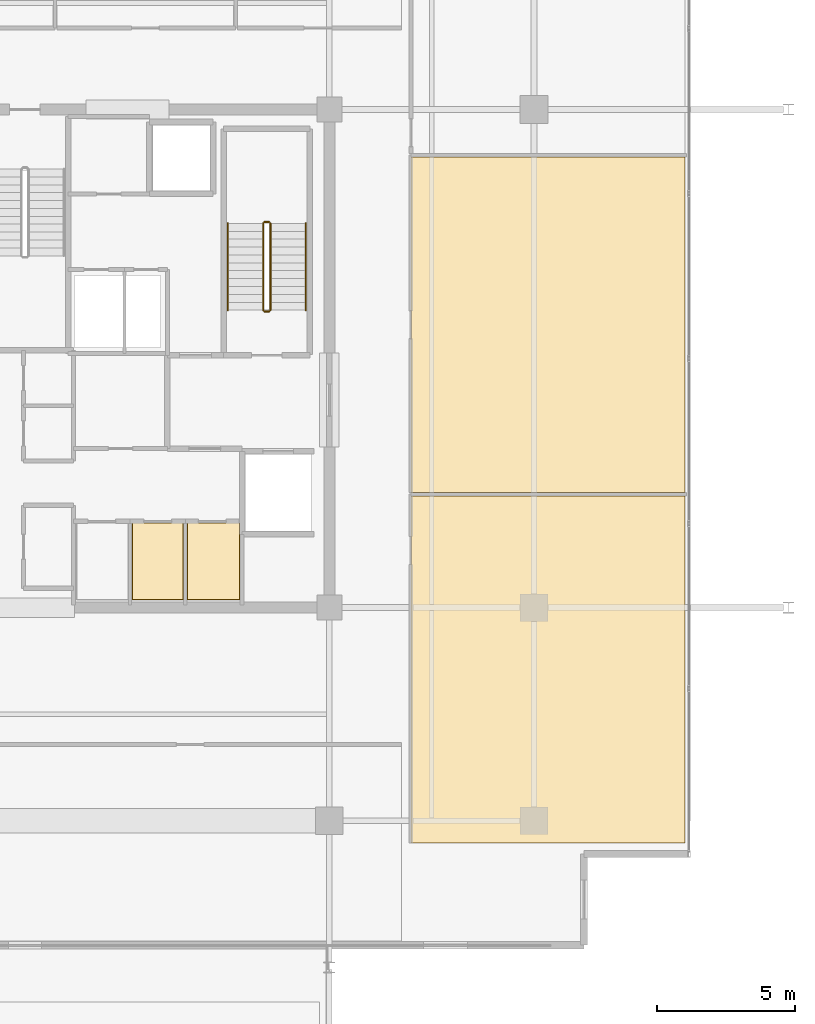
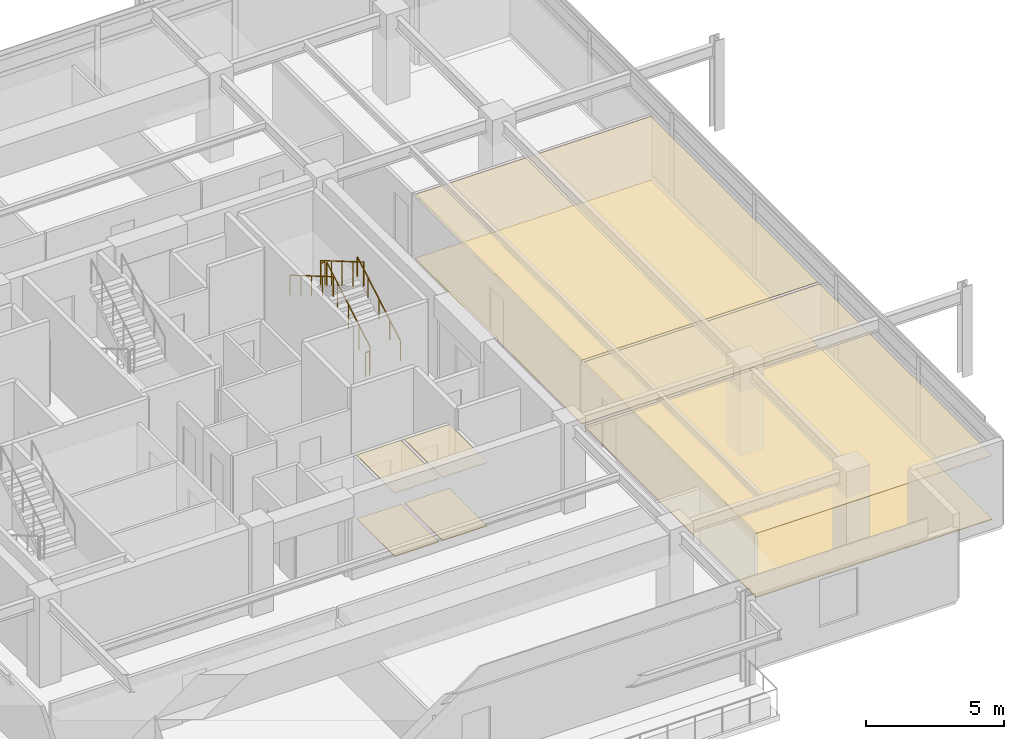
# One storey, part 19 of 20: 8 coverings, 6 railings.
"""IFC4 building model written with IfcOpenShell, lengths in metres."""

from ifc_helpers import new_model, si_unit, direction, frame, origin, origin_2d, place, context, subcontext, project, spatial, polyline, circle, outline, extrude, material, layer, layer_set, type_object, element, save


model = new_model("IFC4")

# Units and contexts
model_context = context("Model", 3, precision=1e-05, world=origin(), true_north=direction((0.0, 1.0)))
body_context = subcontext(model_context, "Body", "Model", "MODEL_VIEW")
ifc_project = project(units=[si_unit("LENGTHUNIT", "METRE"), si_unit("AREAUNIT", "SQUARE_METRE"), si_unit("VOLUMEUNIT", "CUBIC_METRE"), si_unit("PLANEANGLEUNIT", "RADIAN"), si_unit("MASSUNIT", "GRAM", prefix="KILO")], contexts=[model_context])

# Site, building, storey
site_placement = place(None, origin())
site = spatial("IfcSite", under=ifc_project, at=site_placement, CompositionType="ELEMENT")
building_placement = place(site_placement, origin())
building = spatial("IfcBuilding", under=site, at=building_placement, Name="Kovane Verandah Tower", CompositionType="ELEMENT")
storey_placement = place(building_placement, frame((0.0, 0.0, 306.800048828125)))
storey = spatial("IfcBuildingStorey", under=building, at=storey_placement, Name="L71", CompositionType="ELEMENT", Elevation=306.800048828125)

# Coverings
ifc_material_1 = material(Name="Perforated Acoustic Mineral-Fibre Ceiling Tile", Category="gypsum")
ifc_layer_1 = layer(ifc_material_1, 0.02490234375)
ifc_layer_set_1 = layer_set([ifc_layer_1], Name="Perforated Acoustic Mineral-Fibre Ceiling Tile")
covering_type_1 = type_object("IfcCoveringType", Name="CV-CEIL-25", PredefinedType="CEILING", material=ifc_layer_set_1)
covering_1_placement = place(storey_placement, frame((0.0, 0.0, 2.824951171875)))
element("IfcCovering", 1, at=covering_1_placement, inside=storey, type_object=covering_type_1, Name="L71 First Aid Room Acoustic Ceiling", PredefinedType="CEILING", context=body_context, shape_type="SweptSolid", body=[
    extrude(outline(polyline([(43.864990234375, 18.784912109375), (45.735107421875, 18.784912109375), (45.735107421875, 21.56494140625), (43.864990234375, 21.56494140625), (43.864990234375, 18.784912109375)])), origin(), (0.0, 0.0, 1.0), 0.02490234375),
])
covering_2_placement = place(storey_placement, frame((0.0, 0.0, 2.824951171875)))
element("IfcCovering", 2, at=covering_2_placement, inside=storey, type_object=covering_type_1, Name="L71 Quiet Wellness Room Acoustic Ceiling", PredefinedType="CEILING", context=body_context, shape_type="SweptSolid", body=[
    extrude(outline(polyline([(45.864990234375, 18.784912109375), (47.764892578125, 18.784912109375), (47.764892578125, 21.56494140625), (45.864990234375, 21.56494140625), (45.864990234375, 18.784912109375)])), origin(), (0.0, 0.0, 1.0), 0.02490234375),
])
covering_3_placement = place(storey_placement, frame((0.0, 0.0, 2.824951171875)))
element("IfcCovering", 3, at=covering_3_placement, inside=storey, type_object=covering_type_1, Name="L71 Meeting Room E1 Acoustic Ceiling", PredefinedType="CEILING", context=body_context, shape_type="SweptSolid", body=[
    extrude(outline(polyline([(53.949951171875, 10.0), (63.85009765625, 10.0), (63.85009765625, 22.530029296875), (53.949951171875, 22.530029296875), (53.949951171875, 10.0)])), origin(), (0.0, 0.0, 1.0), 0.02490234375),
])
covering_4_placement = place(storey_placement, frame((0.0, 0.0, 2.824951171875)))
element("IfcCovering", 4, at=covering_4_placement, inside=storey, type_object=covering_type_1, Name="L71 Focus Studio E2 Acoustic Ceiling", PredefinedType="CEILING", context=body_context, shape_type="SweptSolid", body=[
    extrude(outline(polyline([(53.949951171875, 22.669921875), (63.85009765625, 22.669921875), (63.85009765625, 34.780029296875), (53.949951171875, 34.780029296875), (53.949951171875, 22.669921875)])), origin(), (0.0, 0.0, 1.0), 0.02490234375),
])
ifc_material_2 = material(Name="Polished Terrazzo and Raised-Access Carpet Tile Finish", Category="concrete")
ifc_layer_2 = layer(ifc_material_2, 0.030029296875)
ifc_layer_set_2 = layer_set([ifc_layer_2], Name="Polished Terrazzo and Raised-Access Carpet Tile Finish")
covering_type_2 = type_object("IfcCoveringType", Name="CV-FLOR-30", PredefinedType="FLOORING", material=ifc_layer_set_2)
covering_5_placement = place(storey_placement, origin())
element("IfcCovering", 5, at=covering_5_placement, inside=storey, type_object=covering_type_2, Name="L71 First Aid Room Floor Finish", PredefinedType="FLOORING", context=body_context, shape_type="SweptSolid", body=[
    extrude(outline(polyline([(43.8798828125, 18.800048828125), (45.719970703125, 18.800048828125), (45.719970703125, 21.550048828125), (43.8798828125, 21.550048828125), (43.8798828125, 18.800048828125)])), origin(), (0.0, 0.0, 1.0), 0.030029296875),
])
covering_6_placement = place(storey_placement, origin())
element("IfcCovering", 6, at=covering_6_placement, inside=storey, type_object=covering_type_2, Name="L71 Quiet Wellness Room Floor Finish", PredefinedType="FLOORING", context=body_context, shape_type="SweptSolid", body=[
    extrude(outline(polyline([(45.8798828125, 18.800048828125), (47.75, 18.800048828125), (47.75, 21.550048828125), (45.8798828125, 21.550048828125), (45.8798828125, 18.800048828125)])), origin(), (0.0, 0.0, 1.0), 0.030029296875),
])
covering_7_placement = place(storey_placement, origin())
element("IfcCovering", 7, at=covering_7_placement, inside=storey, type_object=covering_type_2, Name="L71 Meeting Room E1 Floor Finish", PredefinedType="FLOORING", context=body_context, shape_type="SweptSolid", body=[
    extrude(outline(polyline([(53.949951171875, 10.0), (63.85009765625, 10.0), (63.85009765625, 22.530029296875), (53.949951171875, 22.530029296875), (53.949951171875, 10.0)])), origin(), (0.0, 0.0, 1.0), 0.030029296875),
])
covering_8_placement = place(storey_placement, origin())
element("IfcCovering", 8, at=covering_8_placement, inside=storey, type_object=covering_type_2, Name="L71 Focus Studio E2 Floor Finish", PredefinedType="FLOORING", context=body_context, shape_type="SweptSolid", body=[
    extrude(outline(polyline([(53.949951171875, 22.669921875), (63.85009765625, 22.669921875), (63.85009765625, 34.780029296875), (53.949951171875, 34.780029296875), (53.949951171875, 22.669921875)])), origin(), (0.0, 0.0, 1.0), 0.030029296875),
])

# Railings
ifc_material_3 = material(Name="Brushed Stainless Steel Handrail", Category="steel")
railing_type_1 = type_object("IfcRailingType", Name="RL-HAND-920", PredefinedType="HANDRAIL", material=ifc_material_3)
railing_1_placement = place(storey_placement, frame((50.14990234375, 29.25, 0.16650390625)))
element("IfcRailing", 9, at=railing_1_placement, inside=storey, type_object=railing_type_1, Name="L71 ST-02 stair handrail 1", PredefinedType="HANDRAIL", context=body_context, shape_type="SweptSolid", body=[
    extrude(circle(Radius=0.02392578125, at=origin_2d()), frame((0.0, 0.0, 0.8759765625), z_axis=(0.0, 0.863210265497, 0.504844567704), x_axis=(-1.0, 0.0, 0.0)), (0.0, 0.0, 1.0), 3.6318359375),
    extrude(circle(Radius=0.02099609375, at=origin_2d()), origin(), (0.0, 0.0, 1.0), 0.851806640625),
    extrude(circle(Radius=0.02099609375, at=origin_2d()), frame((0.0, 0.78369140625, 0.45849609375)), (0.0, 0.0, 1.0), 0.851806640625),
    extrude(circle(Radius=0.02099609375, at=origin_2d()), frame((0.0, 1.5673828125, 0.916748046875)), (0.0, 0.0, 1.0), 0.851806640625),
    extrude(circle(Radius=0.02099609375, at=origin_2d()), frame((0.0, 2.351318359375, 1.375)), (0.0, 0.0, 1.0), 0.851806640625),
    extrude(circle(Radius=0.02099609375, at=origin_2d()), frame((0.0, 3.135009765625, 1.83349609375)), (0.0, 0.0, 1.0), 0.851806640625),
])
railing_2_placement = place(storey_placement, frame((47.330078125, 32.385009765625, 2.16650390625)))
element("IfcRailing", 10, at=railing_2_placement, inside=storey, type_object=railing_type_1, Name="L71 ST-02 stair handrail 2", PredefinedType="HANDRAIL", context=body_context, shape_type="SweptSolid", body=[
    extrude(circle(Radius=0.02392578125, at=origin_2d()), frame((0.0, 0.0, 0.8759765625), z_axis=(0.0, -0.863210265497, 0.504844567704), x_axis=(1.0, 0.0, 0.0)), (0.0, 0.0, 1.0), 3.6318359375),
    extrude(circle(Radius=0.02099609375, at=origin_2d()), origin(), (0.0, 0.0, 1.0), 0.851806640625),
    extrude(circle(Radius=0.02099609375, at=origin_2d()), frame((0.0, -0.78369140625, 0.45849609375)), (0.0, 0.0, 1.0), 0.851806640625),
    extrude(circle(Radius=0.02099609375, at=origin_2d()), frame((0.0, -1.5673828125, 0.916748046875)), (0.0, 0.0, 1.0), 0.851806640625),
    extrude(circle(Radius=0.02099609375, at=origin_2d()), frame((0.0, -2.351318359375, 1.375)), (0.0, 0.0, 1.0), 0.851806640625),
    extrude(circle(Radius=0.02099609375, at=origin_2d()), frame((0.0, -3.135009765625, 1.83349609375)), (0.0, 0.0, 1.0), 0.851806640625),
])
ifc_material_4 = material(Name="Painted Steel Stairwell Guardrail", Category="steel")
railing_type_2 = type_object("IfcRailingType", Name="RL-STGUARD-1120", PredefinedType="GUARDRAIL", material=ifc_material_4)
railing_3_placement = place(storey_placement, frame((48.8701171875, 29.25, 0.16650390625)))
element("IfcRailing", 11, at=railing_3_placement, inside=storey, type_object=railing_type_2, Name="L71 ST-02 stair guard 1", PredefinedType="GUARDRAIL", context=body_context, shape_type="SweptSolid", body=[
    extrude(circle(Radius=0.02392578125, at=origin_2d()), frame((0.0, 0.0, 1.076171875), z_axis=(0.0, 0.863210265497, 0.504844567704), x_axis=(-1.0, 0.0, 0.0)), (0.0, 0.0, 1.0), 3.6318359375),
    extrude(circle(Radius=0.02099609375, at=origin_2d()), origin(), (0.0, 0.0, 1.0), 1.052001953125),
    extrude(circle(Radius=0.02099609375, at=origin_2d()), frame((0.0, 0.78369140625, 0.45849609375)), (0.0, 0.0, 1.0), 1.052001953125),
    extrude(circle(Radius=0.02099609375, at=origin_2d()), frame((0.0, 1.5673828125, 0.916748046875)), (0.0, 0.0, 1.0), 1.052001953125),
    extrude(circle(Radius=0.02099609375, at=origin_2d()), frame((0.0, 2.351318359375, 1.375)), (0.0, 0.0, 1.0), 1.052001953125),
    extrude(circle(Radius=0.02099609375, at=origin_2d()), frame((0.0, 3.135009765625, 1.83349609375)), (0.0, 0.0, 1.0), 1.052001953125),
])
railing_4_placement = place(storey_placement, frame((48.820068359375, 32.43505859375, 2.0)))
element("IfcRailing", 12, at=railing_4_placement, inside=storey, type_object=railing_type_2, Name="L71 ST-02 stair guard 2", PredefinedType="GUARDRAIL", context=body_context, shape_type="SweptSolid", body=[
    extrude(circle(Radius=0.02392578125, at=origin_2d()), frame((0.0, 0.0, 1.076171875), z_axis=(-1.0, 0.0, 0.0), x_axis=(0.0, -1.0, 0.0)), (0.0, 0.0, 1.0), 0.16015625),
    extrude(circle(Radius=0.02099609375, at=origin_2d()), origin(), (0.0, 0.0, 1.0), 1.052001953125),
    extrude(circle(Radius=0.02099609375, at=origin_2d()), frame((-0.16015625, 0.0, 0.0)), (0.0, 0.0, 1.0), 1.052001953125),
])
railing_5_placement = place(storey_placement, frame((48.610107421875, 32.385009765625, 2.16650390625)))
element("IfcRailing", 13, at=railing_5_placement, inside=storey, type_object=railing_type_2, Name="L71 ST-02 stair guard 3", PredefinedType="GUARDRAIL", context=body_context, shape_type="SweptSolid", body=[
    extrude(circle(Radius=0.02392578125, at=origin_2d()), frame((0.0, 0.0, 1.076171875), z_axis=(0.0, -0.863210265497, 0.504844567704), x_axis=(1.0, 0.0, 0.0)), (0.0, 0.0, 1.0), 3.6318359375),
    extrude(circle(Radius=0.02099609375, at=origin_2d()), origin(), (0.0, 0.0, 1.0), 1.052001953125),
    extrude(circle(Radius=0.02099609375, at=origin_2d()), frame((0.0, -0.78369140625, 0.45849609375)), (0.0, 0.0, 1.0), 1.052001953125),
    extrude(circle(Radius=0.02099609375, at=origin_2d()), frame((0.0, -1.5673828125, 0.916748046875)), (0.0, 0.0, 1.0), 1.052001953125),
    extrude(circle(Radius=0.02099609375, at=origin_2d()), frame((0.0, -2.351318359375, 1.375)), (0.0, 0.0, 1.0), 1.052001953125),
    extrude(circle(Radius=0.02099609375, at=origin_2d()), frame((0.0, -3.135009765625, 1.83349609375)), (0.0, 0.0, 1.0), 1.052001953125),
])
railing_6_placement = place(storey_placement, frame((48.820068359375, 29.199951171875, 0.0)))
element("IfcRailing", 14, at=railing_6_placement, inside=storey, type_object=railing_type_2, Name="L71 ST-02 stair guard 4", PredefinedType="GUARDRAIL", context=body_context, shape_type="SweptSolid", body=[
    extrude(circle(Radius=0.02392578125, at=origin_2d()), frame((0.0, 0.0, 1.076171875), z_axis=(-1.0, 0.0, 0.0), x_axis=(0.0, -1.0, 0.0)), (0.0, 0.0, 1.0), 0.16015625),
    extrude(circle(Radius=0.02099609375, at=origin_2d()), origin(), (0.0, 0.0, 1.0), 1.052001953125),
    extrude(circle(Radius=0.02099609375, at=origin_2d()), frame((-0.16015625, 0.0, 0.0)), (0.0, 0.0, 1.0), 1.052001953125),
])

save(model, "model.ifc")
